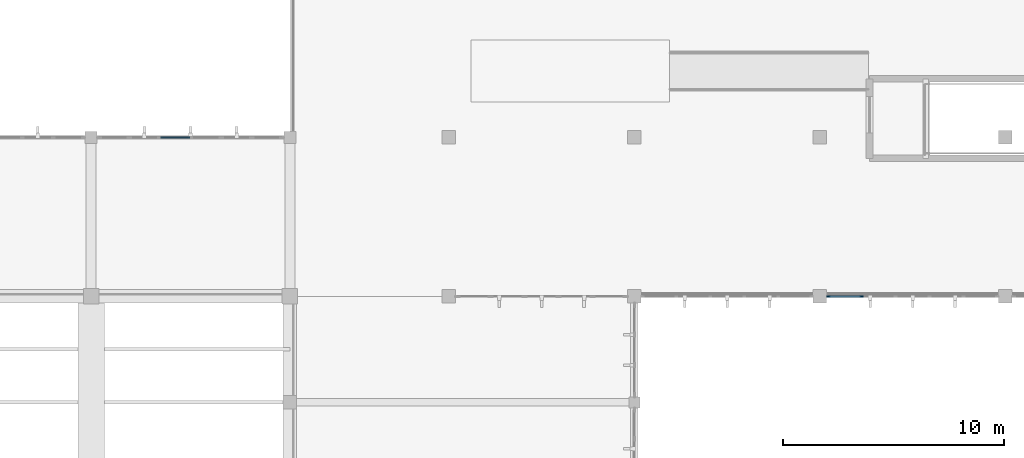
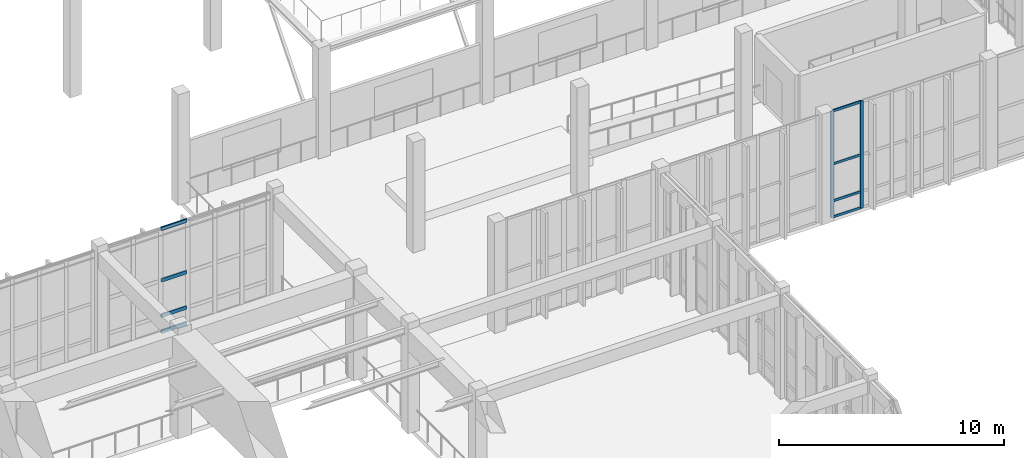
# One storey, part 47 of 105: 10 members, 2 elements without a shape of their own.
"""IFC4 building model written with IfcOpenShell, lengths in metres."""

from ifc_helpers import new_model, si_unit, direction, frame, origin, origin_2d, place, context, subcontext, project, spatial, rectangle, extrude, material, material_profile, profile_set, type_object, element, aggregate, save


model = new_model("IFC4")

# Units and contexts
model_context = context("Model", 3, precision=1e-05, world=origin(), true_north=direction((0.0, 1.0)))
body_context = subcontext(model_context, "Body", "Model", "MODEL_VIEW")
ifc_project = project(units=[si_unit("LENGTHUNIT", "METRE"), si_unit("AREAUNIT", "SQUARE_METRE"), si_unit("VOLUMEUNIT", "CUBIC_METRE"), si_unit("PLANEANGLEUNIT", "RADIAN"), si_unit("MASSUNIT", "GRAM", prefix="KILO")], contexts=[model_context])

# Site, building, storey
site_placement = place(None, origin())
site = spatial("IfcSite", under=ifc_project, at=site_placement, CompositionType="ELEMENT")
building_placement = place(site_placement, origin())
building = spatial("IfcBuilding", under=site, at=building_placement, Name="Tizgana Railside Sports Hall", CompositionType="ELEMENT")
storey_placement = place(building_placement, frame((0.0, 0.0, 6.0)))
storey = spatial("IfcBuildingStorey", under=building, at=storey_placement, Name="L01", CompositionType="ELEMENT", Elevation=6.0)

# Curtain wall, members
ifc_material_1 = material(Name="Anodised aluminium and glass", Category="aluminium")
curtain_wall_type_1 = type_object("IfcCurtainWallType", Name="Unitised Curtain Wall Foyer 1300", PredefinedType="NOTDEFINED", material=ifc_material_1)
curtain_wall_1_placement = place(storey_placement, origin())
curtain_wall_1 = element("IfcCurtainWall", 1, at=curtain_wall_1_placement, inside=storey, type_object=curtain_wall_type_1, Name="L01 Curtain Wall CW-0073", PredefinedType="NOTDEFINED")
ifc_material_2 = material(Name="Anodised aluminium", Category="aluminium")
ifc_material_profile_1 = material_profile(ifc_material_2, rectangle(XDim=0.06005859375, YDim=0.159912109375, at=origin_2d()), Name="Mullion 60x160")
ifc_profile_set_1 = profile_set([ifc_material_profile_1], Name="Anodised aluminium")
member_type_1 = type_object("IfcMemberType", Name="Mullion 60x160", PredefinedType="MULLION", material=ifc_profile_set_1)
member_1_placement = place(storey_placement, frame((159.693115234375, 73.199951171875, 0.0), z_axis=(0.0, 0.0, 1.0), x_axis=(0.0, -1.0, 0.0)))
member_1 = element("IfcMember", 2, at=member_1_placement, type_object=member_type_1, Name="CW-02 mullion 5", PredefinedType="MULLION", context=body_context, shape_type="SweptSolid", body=[
    extrude(rectangle(XDim=0.06005859375, YDim=0.159912109375, at=origin_2d()), origin(), (0.0, 0.0, 1.0), 5.800048828125),
])
member_2_placement = place(storey_placement, frame((158.18505859375, 73.199951171875, 0.0), z_axis=(0.0, 0.0, 1.0), x_axis=(0.0, -1.0, 0.0)))
member_2 = element("IfcMember", 3, at=member_2_placement, type_object=member_type_1, Name="CW-02 mullion 6", PredefinedType="MULLION", context=body_context, shape_type="SweptSolid", body=[
    extrude(rectangle(XDim=0.06005859375, YDim=0.159912109375, at=origin_2d()), origin(), (0.0, 0.0, 1.0), 5.800048828125),
])
ifc_material_profile_2 = material_profile(ifc_material_2, rectangle(XDim=0.06005859375, YDim=0.1298828125, at=origin_2d()), Name="Transom 60x130")
ifc_profile_set_2 = profile_set([ifc_material_profile_2], Name="Anodised aluminium")
member_type_2 = type_object("IfcMemberType", Name="Transom 60x130", PredefinedType="USERDEFINED", material=ifc_profile_set_2)
member_3_placement = place(storey_placement, frame((159.6630859375, 73.199951171875, 0.030029296875), z_axis=(-1.0, 0.0, 0.0), x_axis=(0.0, -1.0, 0.0)))
member_3 = element("IfcMember", 4, at=member_3_placement, type_object=member_type_2, Name="CW-02 transom 5.1", ObjectType="TRANSOM", PredefinedType="USERDEFINED", context=body_context, shape_type="SweptSolid", body=[
    extrude(rectangle(XDim=0.06005859375, YDim=0.1298828125, at=origin_2d()), origin(), (0.0, 0.0, 1.0), 1.447998046875),
])
member_4_placement = place(storey_placement, frame((159.6630859375, 73.199951171875, 0.89990234375), z_axis=(-1.0, 0.0, 0.0), x_axis=(0.0, -1.0, 0.0)))
member_4 = element("IfcMember", 5, at=member_4_placement, type_object=member_type_2, Name="CW-02 transom 5.2", ObjectType="TRANSOM", PredefinedType="USERDEFINED", context=body_context, shape_type="SweptSolid", body=[
    extrude(rectangle(XDim=0.06005859375, YDim=0.1298828125, at=origin_2d()), origin(), (0.0, 0.0, 1.0), 1.447998046875),
])
member_5_placement = place(storey_placement, frame((159.6630859375, 73.199951171875, 2.89990234375), z_axis=(-1.0, 0.0, 0.0), x_axis=(0.0, -1.0, 0.0)))
member_5 = element("IfcMember", 6, at=member_5_placement, type_object=member_type_2, Name="CW-02 transom 5.3", ObjectType="TRANSOM", PredefinedType="USERDEFINED", context=body_context, shape_type="SweptSolid", body=[
    extrude(rectangle(XDim=0.06005859375, YDim=0.1298828125, at=origin_2d()), origin(), (0.0, 0.0, 1.0), 1.447998046875),
])
member_6_placement = place(storey_placement, frame((159.6630859375, 73.199951171875, 5.77001953125), z_axis=(-1.0, 0.0, 0.0), x_axis=(0.0, -1.0, 0.0)))
member_6 = element("IfcMember", 7, at=member_6_placement, type_object=member_type_2, Name="CW-02 transom 5.4", ObjectType="TRANSOM", PredefinedType="USERDEFINED", context=body_context, shape_type="SweptSolid", body=[
    extrude(rectangle(XDim=0.06005859375, YDim=0.1298828125, at=origin_2d()), origin(), (0.0, 0.0, 1.0), 1.447998046875),
])
aggregate(curtain_wall_1, [member_1, member_2, member_3, member_4, member_5, member_6])

curtain_wall_type_2 = type_object("IfcCurtainWallType", Name="Unitised Curtain Wall Clinic 1200", PredefinedType="NOTDEFINED", material=ifc_material_1)
curtain_wall_2_placement = place(storey_placement, origin())
curtain_wall_2 = element("IfcCurtainWall", 8, at=curtain_wall_2_placement, inside=storey, type_object=curtain_wall_type_2, Name="L01 Curtain Wall CW-0028", PredefinedType="NOTDEFINED")
ifc_material_profile_3 = material_profile(ifc_material_2, rectangle(XDim=0.070068359375, YDim=0.18994140625, at=origin_2d()), Name="Transom 70x190")
ifc_profile_set_3 = profile_set([ifc_material_profile_3], Name="Anodised aluminium")
member_type_3 = type_object("IfcMemberType", Name="Transom 70x190", PredefinedType="USERDEFINED", material=ifc_profile_set_3)
member_7_placement = place(storey_placement, frame((127.945068359375, 80.39990234375, 0.034912109375), z_axis=(1.0, 0.0, 0.0), x_axis=(0.0, 1.0, 0.0)))
member_7 = element("IfcMember", 9, at=member_7_placement, type_object=member_type_3, Name="CW-05 transom 3.1", ObjectType="TRANSOM", PredefinedType="USERDEFINED", context=body_context, shape_type="SweptSolid", body=[
    extrude(rectangle(XDim=0.070068359375, YDim=0.18994140625, at=origin_2d()), origin(), (0.0, 0.0, 1.0), 1.31982421875),
])
member_8_placement = place(storey_placement, frame((127.945068359375, 80.39990234375, 0.89990234375), z_axis=(1.0, 0.0, 0.0), x_axis=(0.0, 1.0, 0.0)))
member_8 = element("IfcMember", 10, at=member_8_placement, type_object=member_type_3, Name="CW-05 transom 3.2", ObjectType="TRANSOM", PredefinedType="USERDEFINED", context=body_context, shape_type="SweptSolid", body=[
    extrude(rectangle(XDim=0.070068359375, YDim=0.18994140625, at=origin_2d()), origin(), (0.0, 0.0, 1.0), 1.31982421875),
])
member_9_placement = place(storey_placement, frame((127.945068359375, 80.39990234375, 2.820068359375), z_axis=(1.0, 0.0, 0.0), x_axis=(0.0, 1.0, 0.0)))
member_9 = element("IfcMember", 11, at=member_9_placement, type_object=member_type_3, Name="CW-05 transom 3.3", ObjectType="TRANSOM", PredefinedType="USERDEFINED", context=body_context, shape_type="SweptSolid", body=[
    extrude(rectangle(XDim=0.070068359375, YDim=0.18994140625, at=origin_2d()), origin(), (0.0, 0.0, 1.0), 1.31982421875),
])
member_10_placement = place(storey_placement, frame((127.945068359375, 80.39990234375, 5.60498046875), z_axis=(1.0, 0.0, 0.0), x_axis=(0.0, 1.0, 0.0)))
member_10 = element("IfcMember", 12, at=member_10_placement, type_object=member_type_3, Name="CW-05 transom 3.4", ObjectType="TRANSOM", PredefinedType="USERDEFINED", context=body_context, shape_type="SweptSolid", body=[
    extrude(rectangle(XDim=0.070068359375, YDim=0.18994140625, at=origin_2d()), origin(), (0.0, 0.0, 1.0), 1.31982421875),
])
aggregate(curtain_wall_2, [member_7, member_8, member_9, member_10])

save(model, "model.ifc")
